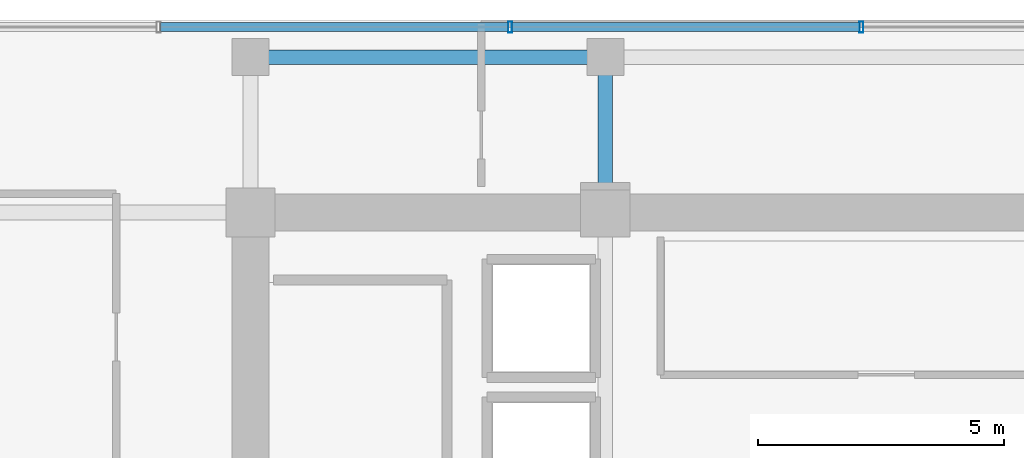
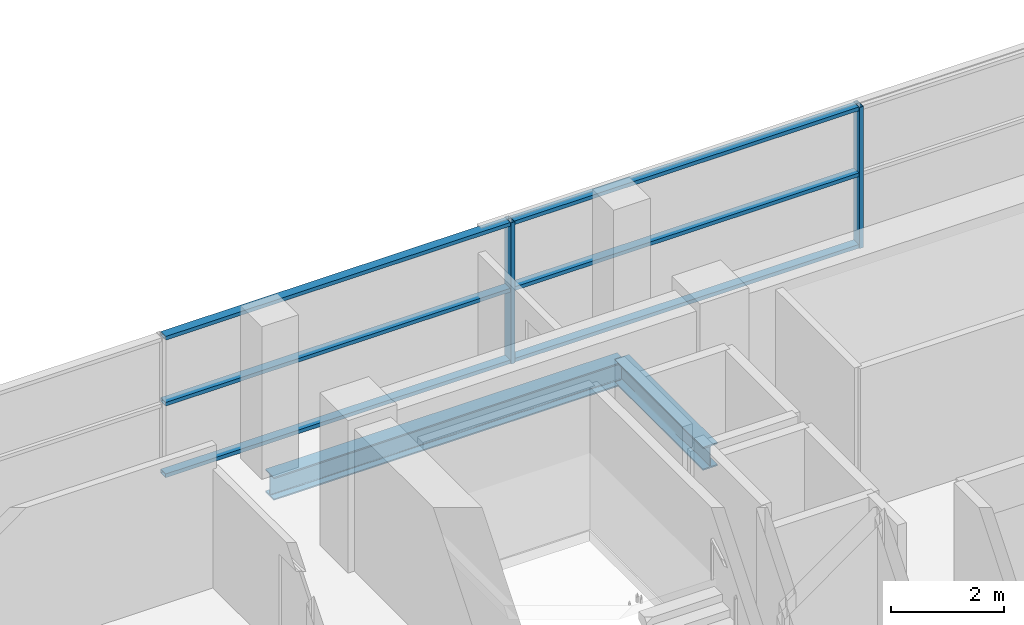
# One storey, part 10 of 21: 8 members, 2 beams, 1 element without a shape of its own.
"""IFC4 building model written with IfcOpenShell, lengths in metres."""

from ifc_helpers import new_model, si_unit, direction, frame, origin, origin_2d, place, context, subcontext, project, spatial, hollow_rectangle, i_section, extrude, source, transform, mapped, material, layer, layer_set, material_profile, profile_set, type_object, element, aggregate, save


model = new_model("IFC4")

# Units and contexts
model_context = context("Model", 3, precision=1e-05, world=origin(), true_north=direction((0.0, 1.0)))
body_context = subcontext(model_context, "Body", "Model", "MODEL_VIEW")
ifc_project = project(units=[si_unit("LENGTHUNIT", "METRE"), si_unit("AREAUNIT", "SQUARE_METRE"), si_unit("VOLUMEUNIT", "CUBIC_METRE"), si_unit("PLANEANGLEUNIT", "RADIAN"), si_unit("MASSUNIT", "GRAM", prefix="KILO")], contexts=[model_context])

# Site, building, storey
site_placement = place(None, origin())
site = spatial("IfcSite", under=ifc_project, at=site_placement, CompositionType="ELEMENT")
building_placement = place(site_placement, origin())
building = spatial("IfcBuilding", under=site, at=building_placement, Name="Zarnakvel Exchange Tower", CompositionType="ELEMENT")
storey_placement = place(building_placement, frame((0.0, 0.0, 166.0)))
storey = spatial("IfcBuildingStorey", under=building, at=storey_placement, Name="L46", CompositionType="ELEMENT", Elevation=166.0)

# Beams
ifc_material_1 = material(Name="Steel S355", Category="steel")
ifc_material_profile_1 = material_profile(ifc_material_1, i_section(OverallWidth=0.300048828125, OverallDepth=0.5, WebThickness=0.014404296875, FlangeThickness=0.028076171875, FilletRadius=0.027099609375, at=origin_2d()))
ifc_profile_set_1 = profile_set([ifc_material_profile_1], Name="Steel S355")
beam_type_1 = type_object("IfcBeamType", Name="G-06", PredefinedType="BEAM", material=ifc_profile_set_1)
beam_1_placement = place(storey_placement, frame((-7.199951171875, 13.5, -0.47509765625), z_axis=(0.0, 1.0, 0.0), x_axis=(-1.0, 0.0, 0.0)))
element("IfcBeam", 1, at=beam_1_placement, inside=storey, type_object=beam_type_1, Name="L46 Tower N-S Frame Beam", PredefinedType="BEAM", context=body_context, shape_type="SweptSolid", body=[
    extrude(i_section(OverallWidth=0.300048828125, OverallDepth=0.5, WebThickness=0.014404296875, FlangeThickness=0.028076171875, FilletRadius=0.027099609375, at=origin_2d()), origin(), (0.0, 0.0, 1.0), 3.14990234375),
])
ifc_material_profile_2 = material_profile(ifc_material_1, i_section(OverallWidth=0.300048828125, OverallDepth=0.5, WebThickness=0.014404296875, FlangeThickness=0.028076171875, FilletRadius=0.027099609375, at=origin_2d()))
ifc_profile_set_2 = profile_set([ifc_material_profile_2], Name="Steel S355")
beam_type_2 = type_object("IfcBeamType", Name="SP-02", PredefinedType="SPANDREL", material=ifc_profile_set_2)
beam_2_placement = place(storey_placement, frame((-14.39990234375, 16.64990234375, -0.47509765625), z_axis=(1.0, 0.0, 0.0), x_axis=(0.0, 1.0, 0.0)))
element("IfcBeam", 2, at=beam_2_placement, inside=storey, type_object=beam_type_2, Name="L46 Tower E-W Frame Beam", PredefinedType="SPANDREL", context=body_context, shape_type="SweptSolid", body=[
    extrude(i_section(OverallWidth=0.300048828125, OverallDepth=0.5, WebThickness=0.014404296875, FlangeThickness=0.028076171875, FilletRadius=0.027099609375, at=origin_2d()), origin(), (0.0, 0.0, 1.0), 7.199951171875),
])

# Curtain wall, members
ifc_material_2 = material(Name="Architectural Bronze Anodised Aluminium", Category="aluminium")
ifc_layer = layer(ifc_material_2, 0.219970703125)
ifc_layer_set = layer_set([ifc_layer], Name="Architectural Bronze Anodised Aluminium")
curtain_wall_type = type_object("IfcCurtainWallType", Name="CW-03", PredefinedType="NOTDEFINED", material=ifc_layer_set)
curtain_wall_placement = place(storey_placement, origin())
curtain_wall = element("IfcCurtainWall", 3, at=curtain_wall_placement, inside=storey, type_object=curtain_wall_type, Name="L46 Curtain Wall CW-L46-N1 (CW-03)", PredefinedType="NOTDEFINED")
ifc_material_profile_3 = material_profile(ifc_material_2, hollow_rectangle(XDim=0.219970703125, YDim=0.080078125, WallThickness=0.0048828125, at=origin_2d()))
ifc_profile_set_3 = profile_set([ifc_material_profile_3], Name="Architectural Bronze Anodised Aluminium")
member_type_1 = type_object("IfcMemberType", Name="CWM-03", PredefinedType="MULLION", material=ifc_profile_set_3)
shared_shape_1 = source(origin(), body_context, "Body", "SweptSolid", [
    extrude(hollow_rectangle(XDim=0.219970703125, YDim=0.080078125, WallThickness=0.0048828125, at=origin_2d()), origin(), (0.0, 0.0, 1.0), 3.054931640625),
])
member_1_placement = place(storey_placement, frame((-9.13330078125, 17.260009765625, 0.0), z_axis=(0.0, 0.0, 1.0), x_axis=(0.0, 1.0, 0.0)))
member_1 = element("IfcMember", 4, at=member_1_placement, type_object=member_type_1, Name="CW-03 mullion 3", PredefinedType="MULLION", context=body_context, shape_type="MappedRepresentation", body=[
    mapped(shared_shape_1, transform((0.0, 0.0, 0.0), x_axis=(1.0, 0.0, 0.0), y_axis=(0.0, 1.0, 0.0), z_axis=(0.0, 0.0, 1.0), scale=1.0)),
])
member_2_placement = place(storey_placement, frame((-2.0, 17.260009765625, 0.0), z_axis=(0.0, 0.0, 1.0), x_axis=(0.0, 1.0, 0.0)))
member_2 = element("IfcMember", 5, at=member_2_placement, type_object=member_type_1, Name="CW-03 mullion 4", PredefinedType="MULLION", context=body_context, shape_type="MappedRepresentation", body=[
    mapped(shared_shape_1, transform((0.0, 0.0, 0.0), x_axis=(1.0, 0.0, 0.0), y_axis=(0.0, 1.0, 0.0), z_axis=(0.0, 0.0, 1.0), scale=1.0)),
])
ifc_material_profile_4 = material_profile(ifc_material_2, hollow_rectangle(XDim=0.179931640625, YDim=0.080078125, WallThickness=0.00390625, at=origin_2d()))
ifc_profile_set_4 = profile_set([ifc_material_profile_4], Name="Architectural Bronze Anodised Aluminium")
member_type_2 = type_object("IfcMemberType", Name="CWT-03", PredefinedType="USERDEFINED", material=ifc_profile_set_4)
shared_shape_2 = source(origin(), body_context, "Body", "SweptSolid", [
    extrude(hollow_rectangle(XDim=0.179931640625, YDim=0.080078125, WallThickness=0.00390625, at=origin_2d()), origin(), (0.0, 0.0, 1.0), 7.05322265625),
])
member_3_placement = place(storey_placement, frame((-16.2265625, 17.260009765625, 0.0400390625), z_axis=(1.0, 0.0, 0.0), x_axis=(0.0, 1.0, 0.0)))
member_3 = element("IfcMember", 6, at=member_3_placement, type_object=member_type_2, Name="CW-03 transom 2.1", ObjectType="TRANSOM", PredefinedType="USERDEFINED", context=body_context, shape_type="MappedRepresentation", body=[
    mapped(shared_shape_2, transform((0.0, 0.0, 0.0), x_axis=(1.0, 0.0, 0.0), y_axis=(0.0, 1.0, 0.0), z_axis=(0.0, 0.0, 1.0), scale=1.0)),
])
member_4_placement = place(storey_placement, frame((-16.2265625, 17.260009765625, 1.588623046875), z_axis=(1.0, 0.0, 0.0), x_axis=(0.0, 1.0, 0.0)))
member_4 = element("IfcMember", 7, at=member_4_placement, type_object=member_type_2, Name="CW-03 transom 2.2", ObjectType="TRANSOM", PredefinedType="USERDEFINED", context=body_context, shape_type="MappedRepresentation", body=[
    mapped(shared_shape_2, transform((0.0, 0.0, 0.0), x_axis=(1.0, 0.0, 0.0), y_axis=(0.0, 1.0, 0.0), z_axis=(0.0, 0.0, 1.0), scale=1.0)),
])
member_5_placement = place(storey_placement, frame((-16.2265625, 17.260009765625, 3.014892578125), z_axis=(1.0, 0.0, 0.0), x_axis=(0.0, 1.0, 0.0)))
member_5 = element("IfcMember", 8, at=member_5_placement, type_object=member_type_2, Name="CW-03 transom 2.3", ObjectType="TRANSOM", PredefinedType="USERDEFINED", context=body_context, shape_type="MappedRepresentation", body=[
    mapped(shared_shape_2, transform((0.0, 0.0, 0.0), x_axis=(1.0, 0.0, 0.0), y_axis=(0.0, 1.0, 0.0), z_axis=(0.0, 0.0, 1.0), scale=1.0)),
])
member_6_placement = place(storey_placement, frame((-9.09326171875, 17.260009765625, 0.0400390625), z_axis=(1.0, 0.0, 0.0), x_axis=(0.0, 1.0, 0.0)))
member_6 = element("IfcMember", 9, at=member_6_placement, type_object=member_type_2, Name="CW-03 transom 3.1", ObjectType="TRANSOM", PredefinedType="USERDEFINED", context=body_context, shape_type="MappedRepresentation", body=[
    mapped(shared_shape_2, transform((0.0, 0.0, 0.0), x_axis=(1.0, 0.0, 0.0), y_axis=(0.0, 1.0, 0.0), z_axis=(0.0, 0.0, 1.0), scale=1.0)),
])
member_7_placement = place(storey_placement, frame((-9.09326171875, 17.260009765625, 1.588623046875), z_axis=(1.0, 0.0, 0.0), x_axis=(0.0, 1.0, 0.0)))
member_7 = element("IfcMember", 10, at=member_7_placement, type_object=member_type_2, Name="CW-03 transom 3.2", ObjectType="TRANSOM", PredefinedType="USERDEFINED", context=body_context, shape_type="MappedRepresentation", body=[
    mapped(shared_shape_2, transform((0.0, 0.0, 0.0), x_axis=(1.0, 0.0, 0.0), y_axis=(0.0, 1.0, 0.0), z_axis=(0.0, 0.0, 1.0), scale=1.0)),
])
member_8_placement = place(storey_placement, frame((-9.09326171875, 17.260009765625, 3.014892578125), z_axis=(1.0, 0.0, 0.0), x_axis=(0.0, 1.0, 0.0)))
member_8 = element("IfcMember", 11, at=member_8_placement, type_object=member_type_2, Name="CW-03 transom 3.3", ObjectType="TRANSOM", PredefinedType="USERDEFINED", context=body_context, shape_type="MappedRepresentation", body=[
    mapped(shared_shape_2, transform((0.0, 0.0, 0.0), x_axis=(1.0, 0.0, 0.0), y_axis=(0.0, 1.0, 0.0), z_axis=(0.0, 0.0, 1.0), scale=1.0)),
])
aggregate(curtain_wall, [member_1, member_2, member_3, member_4, member_5, member_6, member_7, member_8])

save(model, "model.ifc")
